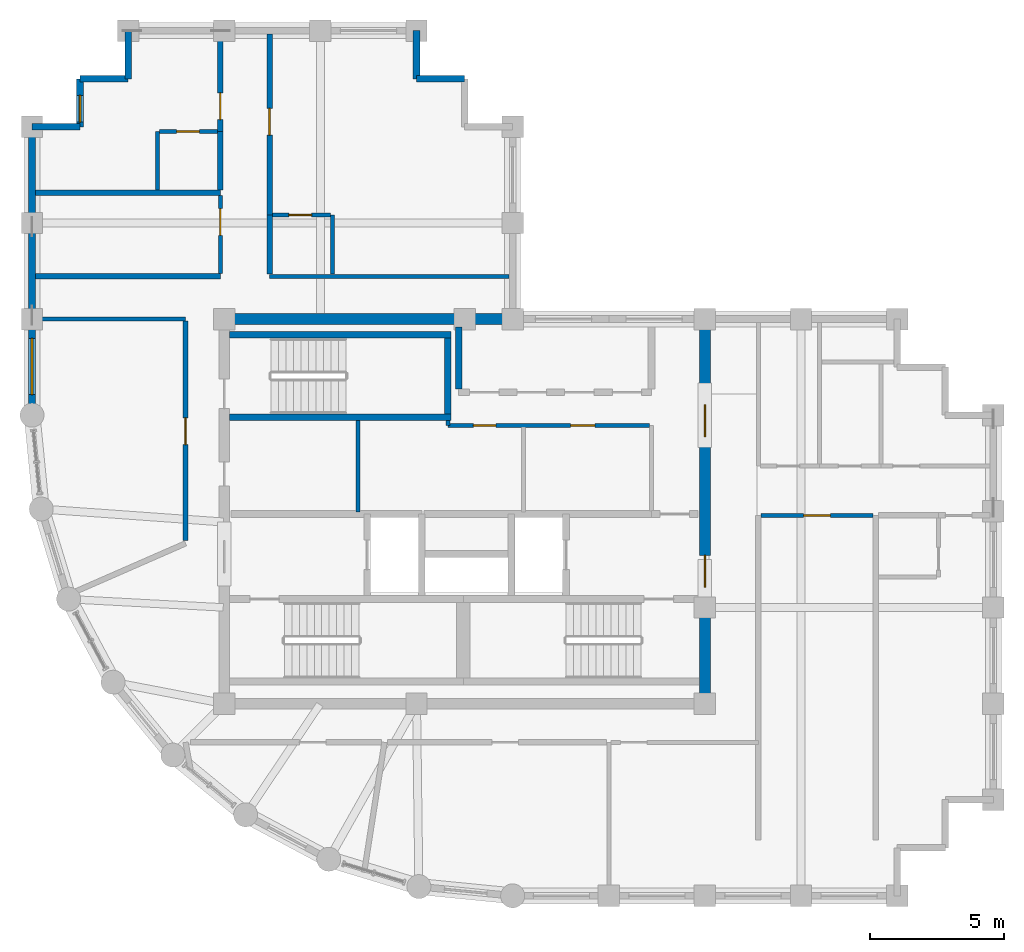
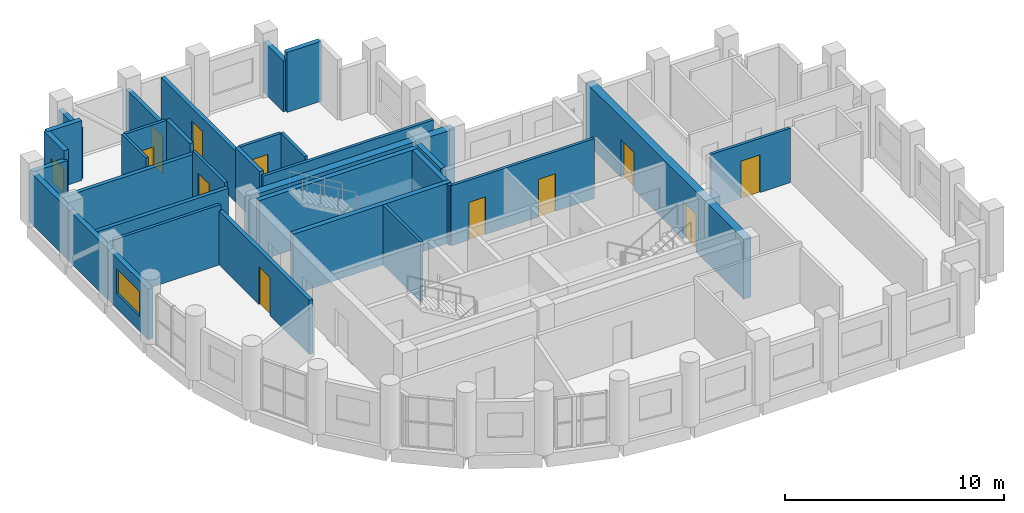
# One storey, part 8 of 11: 33 walls, 11 doors, 2 windows, 13 openings.
"""IFC4 building model written with IfcOpenShell, lengths in metres."""

from ifc_helpers import new_model, si_unit, direction, frame, frame_2d, origin, place, context, subcontext, project, spatial, rectangle, extrude, material, layer, layer_set, type_object, element, fill, save


model = new_model("IFC4")

# Units and contexts
model_context = context("Model", 3, precision=1e-05, world=origin(), true_north=direction((0.0, 1.0)))
body_context = subcontext(model_context, "Body", "Model", "MODEL_VIEW")
ifc_project = project(units=[si_unit("LENGTHUNIT", "METRE"), si_unit("AREAUNIT", "SQUARE_METRE"), si_unit("VOLUMEUNIT", "CUBIC_METRE"), si_unit("PLANEANGLEUNIT", "RADIAN"), si_unit("MASSUNIT", "GRAM", prefix="KILO")], contexts=[model_context])

# Site, building, storey
site_placement = place(None, origin())
site = spatial("IfcSite", under=ifc_project, at=site_placement, CompositionType="ELEMENT")
building_placement = place(site_placement, origin())
building = spatial("IfcBuilding", under=site, at=building_placement, Name="Solnavia Interchange Tower", CompositionType="ELEMENT")
storey_placement = place(building_placement, frame((0.0, 0.0, 239.0)))
storey = spatial("IfcBuildingStorey", under=building, at=storey_placement, Name="L60", CompositionType="ELEMENT", Elevation=239.0)

# Wall, opening, door
ifc_material_1 = material(Name="Gypsum Acoustic Twin-Stud & Mineral Wool", Category="gypsum")
ifc_layer_1 = layer(ifc_material_1, 0.199951171875)
ifc_layer_set_1 = layer_set([ifc_layer_1], Name="Gypsum Acoustic Twin-Stud & Mineral Wool")
wall_type_1 = type_object("IfcWallType", Name="Wall-ApartmentParty-200", PredefinedType="PARTITIONING", material=ifc_layer_set_1)
wall_1_placement = place(storey_placement, frame((12.949951171875, 16.904052734375, 0.0), z_axis=(0.0, 0.0, 1.0), x_axis=(0.0, 1.0, 0.0)))
wall_1 = element("IfcWall", 1, at=wall_1_placement, inside=storey, type_object=wall_type_1, Name="PTW-L60-12 Interior partition wall", PredefinedType="PARTITIONING", context=body_context, shape_type="SweptSolid", body=[
    extrude(rectangle(XDim=8.217041015625, YDim=0.199951171875, at=frame_2d((4.1083984375, 0.0))), origin(), (0.0, 0.0, 1.0), 3.02001953125),
])
opening_1_placement = place(wall_1_placement, frame((3.595947265625, 0.0, 0.0)))
opening_1 = element("IfcOpeningElement", 2, at=opening_1_placement, cuts=wall_1, Name="Opening DR-07", PredefinedType="OPENING", context=body_context, shape_type="SweptSolid", body=[
    extrude(rectangle(XDim=1.0, YDim=2.10009765625, at=frame_2d((0.5, 1.050048828125))), frame((0.0, 0.10986328125, 0.0), z_axis=(0.0, -1.0, 0.0), x_axis=(1.0, 0.0, 0.0)), (0.0, 0.0, 1.0), 0.219970703125),
])
ifc_material_2 = material(Name="Timber & Acoustic Glazed Office Door", Category="wood")
door_type_1 = type_object("IfcDoorType", Name="Door-Office-1000x2100", OperationType="SINGLE_SWING_RIGHT", PredefinedType="DOOR", material=ifc_material_2)
door_1_placement = place(opening_1_placement, origin())
door_1 = element("IfcDoor", 3, at=door_1_placement, inside=storey, type_object=door_type_1, Name="DR-L60-03 Interior room door", OperationType="SINGLE_SWING_LEFT", OverallHeight=2.10009765625, OverallWidth=1.0, PredefinedType="DOOR", context=body_context, shape_type="SweptSolid", body=[
    extrude(rectangle(XDim=1.0, YDim=2.10009765625, at=frame_2d((0.5, 1.050048828125))), frame((0.0, 0.02490234375, 0.0), z_axis=(0.0, -1.0, 0.0), x_axis=(1.0, 0.0, 0.0)), (0.0, 0.0, 1.0), 0.050048828125),
])
fill(opening_1, door_1)

# Walls
for number, where, z_axis, x_axis, name in (
    (4, (7.3291015625, 26.800048828125, 0.0), (0.0, 0.0, 1.0), (1.0, 0.0, 0.0), "PTW-L60-25 Interior partition wall"),
    (5, (7.3291015625, 29.929931640625, 0.0), (0.0, 0.0, 1.0), (1.0, 0.0, 0.0), "PTW-L60-26 Interior partition wall"),
):
    element("IfcWall", number, at=place(storey_placement, frame(where, z_axis=z_axis, x_axis=x_axis)), inside=storey, type_object=wall_type_1, Name=name, PredefinedType="PARTITIONING", context=body_context, shape_type="SweptSolid", body=[
        extrude(rectangle(XDim=6.9208984375, YDim=0.199951171875, at=frame_2d((3.46044921875, 0.0))), origin(), (0.0, 0.0, 1.0), 2.830078125),
    ])
wall_2_placement = place(storey_placement, frame((14.25, 30.033935546875, 0.0), z_axis=(0.0, 0.0, 1.0), x_axis=(0.0, 1.0, 0.0)))
element("IfcWall", 6, at=wall_2_placement, inside=storey, type_object=wall_type_1, Name="PTW-L60-28 Interior partition wall", PredefinedType="PARTITIONING", context=body_context, shape_type="SweptSolid", body=[
    extrude(rectangle(XDim=2.196044921875, YDim=0.199951171875, at=frame_2d((1.09814453125, 0.0))), origin(), (0.0, 0.0, 1.0), 3.3349609375),
])

# Wall, opening, door
wall_3_placement = place(storey_placement, frame((14.25, 32.22998046875, 0.0), z_axis=(0.0, 0.0, 1.0), x_axis=(0.0, 1.0, 0.0)))
wall_3 = element("IfcWall", 7, at=wall_3_placement, inside=storey, type_object=wall_type_1, Name="PTW-L60-29 Interior partition wall", PredefinedType="PARTITIONING", context=body_context, shape_type="SweptSolid", body=[
    extrude(rectangle(XDim=3.64111328125, YDim=0.199951171875, at=frame_2d((1.820556640625, 0.0))), origin(), (0.0, 0.0, 1.0), 2.830078125),
])
opening_2_placement = place(wall_3_placement, frame((0.43896484375, 0.0, 0.0)))
opening_2 = element("IfcOpeningElement", 8, at=opening_2_placement, cuts=wall_3, Name="Opening DR-06", PredefinedType="OPENING", context=body_context, shape_type="SweptSolid", body=[
    extrude(rectangle(XDim=1.0, YDim=2.10009765625, at=frame_2d((0.5, 1.050048828125))), frame((0.0, 0.10986328125, 0.0), z_axis=(0.0, -1.0, 0.0), x_axis=(1.0, 0.0, 0.0)), (0.0, 0.0, 1.0), 0.219970703125),
])
ifc_material_3 = material(Name="Engineered Timber Acoustic Fire Door", Category="wood")
door_type_2 = type_object("IfcDoorType", Name="Door-FlatEntry-1000x2100", OperationType="SINGLE_SWING_LEFT", PredefinedType="DOOR", material=ifc_material_3)
door_2_placement = place(opening_2_placement, origin())
door_2 = element("IfcDoor", 9, at=door_2_placement, inside=storey, type_object=door_type_2, Name="DR-L60-13 Interior room door", OperationType="SINGLE_SWING_RIGHT", OverallHeight=2.10009765625, OverallWidth=1.0, PredefinedType="DOOR", context=body_context, shape_type="SweptSolid", body=[
    extrude(rectangle(XDim=1.0, YDim=2.10009765625, at=frame_2d((0.5, 1.050048828125))), frame((0.0, 0.02490234375, 0.0), z_axis=(0.0, -1.0, 0.0), x_axis=(1.0, 0.0, 0.0)), (0.0, 0.0, 1.0), 0.050048828125),
])
fill(opening_2, door_2)

# Wall
wall_4_placement = place(storey_placement, frame((16.10009765625, 26.87890625, 0.0), z_axis=(0.0, 0.0, 1.0), x_axis=(0.0, 1.0, 0.0)))
element("IfcWall", 10, at=wall_4_placement, inside=storey, type_object=wall_type_1, Name="PTW-L60-33 Interior partition wall", PredefinedType="PARTITIONING", context=body_context, shape_type="SweptSolid", body=[
    extrude(rectangle(XDim=2.22119140625, YDim=0.199951171875, at=frame_2d((1.110595703125, 0.0))), origin(), (0.0, 0.0, 1.0), 3.030029296875),
])

# Wall, opening, door
wall_5_placement = place(storey_placement, frame((16.10009765625, 29.10009765625, 0.0), z_axis=(0.0, 0.0, 1.0), x_axis=(0.0, 1.0, 0.0)))
wall_5 = element("IfcWall", 11, at=wall_5_placement, inside=storey, type_object=wall_type_1, Name="PTW-L60-34 Interior partition wall", PredefinedType="PARTITIONING", context=body_context, shape_type="SweptSolid", body=[
    extrude(rectangle(XDim=6.77099609375, YDim=0.199951171875, at=frame_2d((3.385498046875, 0.0))), origin(), (0.0, 0.0, 1.0), 2.830078125),
])
opening_3_placement = place(wall_5_placement, frame((2.989990234375, 0.0, 0.0)))
opening_3 = element("IfcOpeningElement", 12, at=opening_3_placement, cuts=wall_5, Name="Opening DR-06", PredefinedType="OPENING", context=body_context, shape_type="SweptSolid", body=[
    extrude(rectangle(XDim=1.0, YDim=2.10009765625, at=frame_2d((0.5, 1.050048828125))), frame((0.0, 0.10986328125, 0.0), z_axis=(0.0, -1.0, 0.0), x_axis=(1.0, 0.0, 0.0)), (0.0, 0.0, 1.0), 0.219970703125),
])
door_3_placement = place(opening_3_placement, origin())
door_3 = element("IfcDoor", 13, at=door_3_placement, inside=storey, type_object=door_type_2, Name="DR-L60-15 Interior room door", OperationType="SINGLE_SWING_LEFT", OverallHeight=2.10009765625, OverallWidth=1.0, PredefinedType="DOOR", context=body_context, shape_type="SweptSolid", body=[
    extrude(rectangle(XDim=1.0, YDim=2.10009765625, at=frame_2d((0.5, 1.050048828125))), frame((0.0, 0.02490234375, 0.0), z_axis=(0.0, -1.0, 0.0), x_axis=(1.0, 0.0, 0.0)), (0.0, 0.0, 1.0), 0.050048828125),
])
fill(opening_3, door_3)

# Walls
ifc_material_4 = material(Name="Concrete C40/50", Category="concrete")
ifc_layer_2 = layer(ifc_material_4, 0.25)
ifc_layer_set_2 = layer_set([ifc_layer_2], Name="Concrete C40/50")
wall_type_2 = type_object("IfcWallType", Name="Wall-ExtSpandrel-250", PredefinedType="STANDARD", material=ifc_layer_set_2)
wall_6_placement = place(storey_placement, frame((21.60009765625, 34.199951171875, 0.0), z_axis=(0.0, 0.0, 1.0), x_axis=(1.0, 0.0, 0.0)))
element("IfcWall", 14, at=wall_6_placement, inside=storey, type_object=wall_type_2, Name="EXW-L60-25 Exterior precast spandrel wall", PredefinedType="STANDARD", context=body_context, shape_type="SweptSolid", body=[
    extrude(rectangle(XDim=1.7998046875, YDim=0.25, at=frame_2d((0.89990234375, 0.0))), origin(), (0.0, 0.0, 1.0), 3.3349609375),
])
for number, where, z_axis, x_axis, name in (
    (15, (21.60009765625, 34.199951171875, 0.0), (0.0, 0.0, 1.0), (0.0, 1.0, 0.0), "EXW-L60-26 Exterior precast spandrel wall"),
    (16, (10.800048828125, 34.199951171875, 0.0), (0.0, 0.0, 1.0), (0.0, 1.0, 0.0), "EXW-L60-30 Exterior precast spandrel wall"),
):
    element("IfcWall", number, at=place(storey_placement, frame(where, z_axis=z_axis, x_axis=x_axis)), inside=storey, type_object=wall_type_2, Name=name, PredefinedType="STANDARD", context=body_context, shape_type="SweptSolid", body=[
        extrude(rectangle(XDim=1.800048828125, YDim=0.25, at=frame_2d((0.89990234375, 0.0))), origin(), (0.0, 0.0, 1.0), 2.830078125),
    ])
wall_7_placement = place(storey_placement, frame((9.0, 34.199951171875, 0.0), z_axis=(0.0, 0.0, 1.0), x_axis=(1.0, 0.0, 0.0)))
element("IfcWall", 17, at=wall_7_placement, inside=storey, type_object=wall_type_2, Name="EXW-L60-31 Exterior precast spandrel wall", PredefinedType="STANDARD", context=body_context, shape_type="SweptSolid", body=[
    extrude(rectangle(XDim=1.800048828125, YDim=0.25, at=frame_2d((0.89990234375, 0.0))), origin(), (0.0, 0.0, 1.0), 3.3349609375),
])

# Wall, opening, window
wall_8_placement = place(storey_placement, frame((9.0, 32.39990234375, 0.0), z_axis=(0.0, 0.0, 1.0), x_axis=(0.0, 1.0, 0.0)))
wall_8 = element("IfcWall", 18, at=wall_8_placement, inside=storey, type_object=wall_type_2, Name="EXW-L60-32 Exterior precast spandrel wall", PredefinedType="STANDARD", context=body_context, shape_type="SweptSolid", body=[
    extrude(rectangle(XDim=1.800048828125, YDim=0.25, at=frame_2d((0.89990234375, 0.0))), origin(), (0.0, 0.0, 1.0), 3.3349609375),
])
opening_4_placement = place(wall_8_placement, frame((0.179931640625, 0.0, 0.85009765625)))
opening_4 = element("IfcOpeningElement", 19, at=opening_4_placement, cuts=wall_8, Name="Opening WIN-07", PredefinedType="OPENING", context=body_context, shape_type="SweptSolid", body=[
    extrude(rectangle(XDim=1.0, YDim=1.35009765625, at=frame_2d((0.5, 0.675048828125))), frame((0.0, 0.135009765625, 0.0), z_axis=(0.0, -1.0, 0.0), x_axis=(1.0, 0.0, 0.0)), (0.0, 0.0, 1.0), 0.27001953125),
])
ifc_material_5 = material(Name="Thermal-Break Aluminium & Low-E Glass", Category="aluminium")
window_type_1 = type_object("IfcWindowType", Name="Window-Bedroom-1000x1350", PartitioningType="SINGLE_PANEL", PredefinedType="WINDOW", material=ifc_material_5)
window_1_placement = place(opening_4_placement, origin())
window_1 = element("IfcWindow", 20, at=window_1_placement, inside=storey, type_object=window_type_1, Name="WIN-L60-DW01 Dwelling bedroom window", OverallHeight=1.35009765625, OverallWidth=1.0, PartitioningType="SINGLE_PANEL", PredefinedType="WINDOW", context=body_context, shape_type="SweptSolid", body=[
    extrude(rectangle(XDim=1.0, YDim=1.35009765625, at=frame_2d((0.5, 0.675048828125))), frame((0.0, 0.030029296875, 0.0), z_axis=(0.0, -1.0, 0.0), x_axis=(1.0, 0.0, 0.0)), (0.0, 0.0, 1.0), 0.06005859375),
])
fill(opening_4, window_1)

# Walls
wall_9_placement = place(storey_placement, frame((7.199951171875, 32.39990234375, 0.0), z_axis=(0.0, 0.0, 1.0), x_axis=(1.0, 0.0, 0.0)))
element("IfcWall", 21, at=wall_9_placement, inside=storey, type_object=wall_type_2, Name="EXW-L60-33 Exterior precast spandrel wall", PredefinedType="STANDARD", context=body_context, shape_type="SweptSolid", body=[
    extrude(rectangle(XDim=1.800048828125, YDim=0.25, at=frame_2d((0.89990234375, 0.0))), origin(), (0.0, 0.0, 1.0), 2.830078125),
])
wall_10_placement = place(storey_placement, frame((7.199951171875, 28.800048828125, 0.0), z_axis=(0.0, 0.0, 1.0), x_axis=(0.0, 1.0, 0.0)))
element("IfcWall", 22, at=wall_10_placement, inside=storey, type_object=wall_type_2, Name="EXW-L60-34 Exterior precast spandrel wall", PredefinedType="STANDARD", context=body_context, shape_type="SweptSolid", body=[
    extrude(rectangle(XDim=3.599853515625, YDim=0.25, at=frame_2d((1.7998046875, 0.0))), origin(), (0.0, 0.0, 1.0), 2.830078125),
])
wall_11_placement = place(storey_placement, frame((7.199951171875, 25.199951171875, 0.0), z_axis=(0.0, 0.0, 1.0), x_axis=(0.0, 1.0, 0.0)))
element("IfcWall", 23, at=wall_11_placement, inside=storey, type_object=wall_type_2, Name="EXW-L60-35 Exterior precast spandrel wall", PredefinedType="STANDARD", context=body_context, shape_type="SweptSolid", body=[
    extrude(rectangle(XDim=3.60009765625, YDim=0.25, at=frame_2d((1.800048828125, 0.0))), origin(), (0.0, 0.0, 1.0), 2.830078125),
])

# Wall, opening, window
wall_12_placement = place(storey_placement, frame((7.199951171875, 21.60009765625, 0.0), z_axis=(0.0, 0.0, 1.0), x_axis=(0.0, 1.0, 0.0)))
wall_12 = element("IfcWall", 24, at=wall_12_placement, inside=storey, type_object=wall_type_2, Name="EXW-L60-36 Exterior precast spandrel wall", PredefinedType="STANDARD", context=body_context, shape_type="SweptSolid", body=[
    extrude(rectangle(XDim=3.599853515625, YDim=0.25, at=frame_2d((1.7998046875, 0.0))), origin(), (0.0, 0.0, 1.0), 2.830078125),
])
opening_5_placement = place(wall_12_placement, frame((0.77490234375, 0.0, 0.85009765625)))
opening_5 = element("IfcOpeningElement", 25, at=opening_5_placement, cuts=wall_12, Name="Opening WIN-01", PredefinedType="OPENING", context=body_context, shape_type="SweptSolid", body=[
    extrude(rectangle(XDim=2.10009765625, YDim=1.35009765625, at=frame_2d((1.050048828125, 0.675048828125))), frame((0.0, 0.135009765625, 0.0), z_axis=(0.0, -1.0, 0.0), x_axis=(1.0, 0.0, 0.0)), (0.0, 0.0, 1.0), 0.27001953125),
])
window_type_2 = type_object("IfcWindowType", Name="Window-Ribbon-2100x1350", PartitioningType="SINGLE_PANEL", PredefinedType="WINDOW", material=ifc_material_5)
window_2_placement = place(opening_5_placement, origin())
window_2 = element("IfcWindow", 26, at=window_2_placement, inside=storey, type_object=window_type_2, Name="WIN-L60-36 Facade ribbon window", OverallHeight=1.35009765625, OverallWidth=2.10009765625, PartitioningType="SINGLE_PANEL", PredefinedType="WINDOW", context=body_context, shape_type="SweptSolid", body=[
    extrude(rectangle(XDim=2.10009765625, YDim=1.35009765625, at=frame_2d((1.050048828125, 0.675048828125))), frame((0.0, 0.030029296875, 0.0), z_axis=(0.0, -1.0, 0.0), x_axis=(1.0, 0.0, 0.0)), (0.0, 0.0, 1.0), 0.06005859375),
])
fill(opening_5, window_2)

# Wall, openings, doors
ifc_material_6 = material(Name="Gypsum Plasterboard & Steel Stud", Category="steel")
ifc_layer_3 = layer(ifc_material_6, 0.14990234375)
ifc_layer_set_3 = layer_set([ifc_layer_3], Name="Gypsum Plasterboard & Steel Stud")
wall_type_3 = type_object("IfcWallType", Name="Wall-Partition-150", PredefinedType="PARTITIONING", material=ifc_layer_set_3)
wall_13_placement = place(storey_placement, frame((22.77490234375, 21.219970703125, 0.0), z_axis=(0.0, 0.0, 1.0), x_axis=(1.0, 0.0, 0.0)))
wall_13 = element("IfcWall", 27, at=wall_13_placement, inside=storey, type_object=wall_type_3, Name="CSW-L60-N-ALL Core shaft wall", PredefinedType="PARTITIONING", context=body_context, shape_type="SweptSolid", body=[
    extrude(rectangle(XDim=7.545166015625, YDim=0.14990234375, at=frame_2d((3.7724609375, 0.0))), origin(), (0.0, 0.0, 1.0), 3.3349609375),
])
opening_6_placement = place(wall_13_placement, frame((0.949951171875, 0.0, 0.0)))
opening_6 = element("IfcOpeningElement", 28, at=opening_6_placement, cuts=wall_13, Name="Opening DR-10", PredefinedType="OPENING", context=body_context, shape_type="SweptSolid", body=[
    extrude(rectangle(XDim=0.85009765625, YDim=2.10009765625, at=frame_2d((0.425048828125, 1.050048828125))), frame((0.0, 0.0849609375, 0.0), z_axis=(0.0, -1.0, 0.0), x_axis=(1.0, 0.0, 0.0)), (0.0, 0.0, 1.0), 0.169921875),
])
opening_7_placement = place(wall_13_placement, frame((4.60009765625, 0.0, 0.0)))
opening_7 = element("IfcOpeningElement", 29, at=opening_7_placement, cuts=wall_13, Name="Opening DR-09", PredefinedType="OPENING", context=body_context, shape_type="SweptSolid", body=[
    extrude(rectangle(XDim=0.89990234375, YDim=2.10009765625, at=frame_2d((0.449951171875, 1.050048828125))), frame((0.0, 0.0849609375, 0.0), z_axis=(0.0, -1.0, 0.0), x_axis=(1.0, 0.0, 0.0)), (0.0, 0.0, 1.0), 0.169921875),
])
ifc_material_7 = material(Name="Moisture-Resistant Timber Door", Category="wood")
door_type_3 = type_object("IfcDoorType", Name="Door-Bathroom-850x2100", OperationType="SINGLE_SWING_RIGHT", PredefinedType="DOOR", material=ifc_material_7)
door_4_placement = place(opening_6_placement, origin())
door_4 = element("IfcDoor", 30, at=door_4_placement, inside=storey, type_object=door_type_3, Name="DR-L60-CS2 Core fire door", OperationType="SINGLE_SWING_LEFT", OverallHeight=2.10009765625, OverallWidth=0.85009765625, PredefinedType="DOOR", context=body_context, shape_type="SweptSolid", body=[
    extrude(rectangle(XDim=0.85009765625, YDim=2.10009765625, at=frame_2d((0.425048828125, 1.050048828125))), frame((0.0, 0.02490234375, 0.0), z_axis=(0.0, -1.0, 0.0), x_axis=(1.0, 0.0, 0.0)), (0.0, 0.0, 1.0), 0.050048828125),
])
fill(opening_6, door_4)
ifc_material_8 = material(Name="Engineered Oak Veneer Door", Category="wood")
door_type_4 = type_object("IfcDoorType", Name="Door-Internal-900x2100", OperationType="SINGLE_SWING_LEFT", PredefinedType="DOOR", material=ifc_material_8)
door_5_placement = place(opening_7_placement, origin())
door_5 = element("IfcDoor", 31, at=door_5_placement, inside=storey, type_object=door_type_4, Name="DR-L60-CS3 Core fire door", OperationType="SINGLE_SWING_RIGHT", OverallHeight=2.10009765625, OverallWidth=0.89990234375, PredefinedType="DOOR", context=body_context, shape_type="SweptSolid", body=[
    extrude(rectangle(XDim=0.89990234375, YDim=2.10009765625, at=frame_2d((0.449951171875, 1.050048828125))), frame((0.0, 0.02490234375, 0.0), z_axis=(0.0, -1.0, 0.0), x_axis=(1.0, 0.0, 0.0)), (0.0, 0.0, 1.0), 0.050048828125),
])
fill(opening_7, door_5)

# Walls
wall_14_placement = place(storey_placement, frame((22.77490234375, 21.219970703125, 0.0), z_axis=(0.0, 0.0, 1.0), x_axis=(0.0, 1.0, 0.0)))
element("IfcWall", 32, at=wall_14_placement, inside=storey, type_object=wall_type_3, Name="CSW-L60-ST-TIE Core shaft wall", PredefinedType="PARTITIONING", context=body_context, shape_type="SweptSolid", body=[
    extrude(rectangle(XDim=0.175048828125, YDim=0.14990234375, at=frame_2d((0.08740234375, 0.0))), origin(), (0.0, 0.0, 1.0), 3.3349609375),
])
wall_15_placement = place(storey_placement, frame((19.39990234375, 17.97998046875, 0.0), z_axis=(0.0, 0.0, 1.0), x_axis=(0.0, 1.0, 0.0)))
element("IfcWall", 33, at=wall_15_placement, inside=storey, type_object=wall_type_3, Name="CSW-L60-M1 Core shaft wall", PredefinedType="PARTITIONING", context=body_context, shape_type="SweptSolid", body=[
    extrude(rectangle(XDim=3.419921875, YDim=0.14990234375, at=frame_2d((1.7099609375, 0.0))), origin(), (0.0, 0.0, 1.0), 3.3349609375),
])
wall_16_placement = place(storey_placement, frame((7.3291015625, 25.199951171875, 0.0), z_axis=(0.0, 0.0, 1.0), x_axis=(1.0, 0.0, 0.0)))
element("IfcWall", 34, at=wall_16_placement, inside=storey, type_object=wall_type_3, Name="PTW-L60-07 Interior partition wall", PredefinedType="PARTITIONING", context=body_context, shape_type="SweptSolid", body=[
    extrude(rectangle(XDim=5.620849609375, YDim=0.14990234375, at=frame_2d((2.810546875, 0.0))), origin(), (0.0, 0.0, 1.0), 3.3349609375),
])

# Wall, opening, door
wall_17_placement = place(storey_placement, frame((34.50390625, 17.85009765625, 0.0), z_axis=(0.0, 0.0, 1.0), x_axis=(1.0, 0.0, 0.0)))
wall_17 = element("IfcWall", 35, at=wall_17_placement, inside=storey, type_object=wall_type_3, Name="PTW-L60-19 Interior partition wall", PredefinedType="PARTITIONING", context=body_context, shape_type="SweptSolid", body=[
    extrude(rectangle(XDim=4.192138671875, YDim=0.14990234375, at=frame_2d((2.09619140625, 0.0))), origin(), (0.0, 0.0, 1.0), 3.02001953125),
])
opening_8_placement = place(wall_17_placement, frame((1.595947265625, 0.0, 0.0)))
opening_8 = element("IfcOpeningElement", 36, at=opening_8_placement, cuts=wall_17, Name="Opening DR-07", PredefinedType="OPENING", context=body_context, shape_type="SweptSolid", body=[
    extrude(rectangle(XDim=1.0, YDim=2.10009765625, at=frame_2d((0.5, 1.050048828125))), frame((0.0, 0.0849609375, 0.0), z_axis=(0.0, -1.0, 0.0), x_axis=(1.0, 0.0, 0.0)), (0.0, 0.0, 1.0), 0.169921875),
])
door_6_placement = place(opening_8_placement, origin())
door_6 = element("IfcDoor", 37, at=door_6_placement, inside=storey, type_object=door_type_1, Name="DR-L60-08 Interior room door", OperationType="SINGLE_SWING_LEFT", OverallHeight=2.10009765625, OverallWidth=1.0, PredefinedType="DOOR", context=body_context, shape_type="SweptSolid", body=[
    extrude(rectangle(XDim=1.0, YDim=2.10009765625, at=frame_2d((0.5, 1.050048828125))), frame((0.0, 0.02490234375, 0.0), z_axis=(0.0, -1.0, 0.0), x_axis=(1.0, 0.0, 0.0)), (0.0, 0.0, 1.0), 0.050048828125),
])
fill(opening_8, door_6)

wall_18_placement = place(storey_placement, frame((14.25, 26.904052734375, 0.0), z_axis=(0.0, 0.0, 1.0), x_axis=(0.0, 1.0, 0.0)))
wall_18 = element("IfcWall", 38, at=wall_18_placement, inside=storey, type_object=wall_type_3, Name="PTW-L60-27 Interior partition wall", PredefinedType="PARTITIONING", context=body_context, shape_type="SweptSolid", body=[
    extrude(rectangle(XDim=2.921875, YDim=0.14990234375, at=frame_2d((1.4609375, 0.0))), origin(), (0.0, 0.0, 1.0), 3.030029296875),
])
opening_9_placement = place(wall_18_placement, frame((1.430908203125, 0.0, 0.0)))
opening_9 = element("IfcOpeningElement", 39, at=opening_9_placement, cuts=wall_18, Name="Opening DR-07", PredefinedType="OPENING", context=body_context, shape_type="SweptSolid", body=[
    extrude(rectangle(XDim=1.0, YDim=2.10009765625, at=frame_2d((0.5, 1.050048828125))), frame((0.0, 0.0849609375, 0.0), z_axis=(0.0, -1.0, 0.0), x_axis=(1.0, 0.0, 0.0)), (0.0, 0.0, 1.0), 0.169921875),
])
door_7_placement = place(opening_9_placement, origin())
door_7 = element("IfcDoor", 40, at=door_7_placement, inside=storey, type_object=door_type_1, Name="DR-L60-12 Interior room door", OperationType="SINGLE_SWING_RIGHT", OverallHeight=2.10009765625, OverallWidth=1.0, PredefinedType="DOOR", context=body_context, shape_type="SweptSolid", body=[
    extrude(rectangle(XDim=1.0, YDim=2.10009765625, at=frame_2d((0.5, 1.050048828125))), frame((0.0, 0.02490234375, 0.0), z_axis=(0.0, -1.0, 0.0), x_axis=(1.0, 0.0, 0.0)), (0.0, 0.0, 1.0), 0.050048828125),
])
fill(opening_9, door_7)

# Walls
wall_19_placement = place(storey_placement, frame((16.10009765625, 26.800048828125, 0.0), z_axis=(0.0, 0.0, 1.0), x_axis=(1.0, 0.0, 0.0)))
element("IfcWall", 41, at=wall_19_placement, inside=storey, type_object=wall_type_3, Name="PTW-L60-32 Interior partition wall", PredefinedType="PARTITIONING", context=body_context, shape_type="SweptSolid", body=[
    extrude(rectangle(XDim=8.970947265625, YDim=0.14990234375, at=frame_2d((4.4853515625, 0.0))), origin(), (0.0, 0.0, 1.0), 2.830078125),
])
ifc_layer_4 = layer(ifc_material_4, 0.25)
ifc_layer_set_4 = layer_set([ifc_layer_4], Name="Concrete C40/50")
wall_type_4 = type_object("IfcWallType", Name="Wall-ShaftCore-250", PredefinedType="SHEAR", material=ifc_layer_set_4)
for number, where, z_axis, x_axis, name in (
    (42, (14.60009765625, 21.52490234375, 0.0), (0.0, 0.0, 1.0), (1.0, 0.0, 0.0), "SHW-L60-ST3S Core shear wall"),
    (43, (14.60009765625, 24.614990234375, 0.0), (0.0, 0.0, 1.0), (1.0, 0.0, 0.0), "SHW-L60-ST3N Core shear wall"),
):
    element("IfcWall", number, at=place(storey_placement, frame(where, z_axis=z_axis, x_axis=x_axis)), inside=storey, type_object=wall_type_4, Name=name, PredefinedType="SHEAR", context=body_context, shape_type="SweptSolid", body=[
        extrude(rectangle(XDim=8.2998046875, YDim=0.25, at=frame_2d((4.14990234375, 0.0))), origin(), (0.0, 0.0, 1.0), 3.35009765625),
    ])
wall_20_placement = place(storey_placement, frame((22.77490234375, 21.64990234375, 0.0), z_axis=(0.0, 0.0, 1.0), x_axis=(0.0, 1.0, 0.0)))
element("IfcWall", 44, at=wall_20_placement, inside=storey, type_object=wall_type_4, Name="SHW-L60-ST3E Core shear wall", PredefinedType="SHEAR", context=body_context, shape_type="SweptSolid", body=[
    extrude(rectangle(XDim=2.840087890625, YDim=0.25, at=frame_2d((1.419921875, 0.0))), origin(), (0.0, 0.0, 1.0), 3.35009765625),
])
ifc_layer_5 = layer(ifc_material_4, 0.25)
ifc_layer_set_5 = layer_set([ifc_layer_5], Name="Concrete C40/50")
wall_type_5 = type_object("IfcWallType", Name="Wall-ShaftPart-250", PredefinedType="PARTITIONING", material=ifc_layer_set_5)
wall_21_placement = place(storey_placement, frame((23.179931640625, 22.5849609375, 0.0), z_axis=(0.0, 0.0, 1.0), x_axis=(0.0, 1.0, 0.0)))
element("IfcWall", 45, at=wall_21_placement, inside=storey, type_object=wall_type_5, Name="SHW-L60-B3W Core shaft wall", PredefinedType="PARTITIONING", context=body_context, shape_type="SweptSolid", body=[
    extrude(rectangle(XDim=2.31494140625, YDim=0.25, at=frame_2d((1.157470703125, 0.0))), origin(), (0.0, 0.0, 1.0), 3.3349609375),
])
ifc_material_9 = material(Name="Concrete C50/60", Category="concrete")
ifc_layer_6 = layer(ifc_material_9, 0.39990234375)
ifc_layer_set_6 = layer_set([ifc_layer_6], Name="Concrete C50/60")
wall_type_6 = type_object("IfcWallType", Name="Wall-ShearCore-400", PredefinedType="SHEAR", material=ifc_layer_set_6)
wall_22_placement = place(storey_placement, frame((14.39990234375, 25.199951171875, 0.0), z_axis=(0.0, 0.0, 1.0), x_axis=(1.0, 0.0, 0.0)))
element("IfcWall", 46, at=wall_22_placement, inside=storey, type_object=wall_type_6, Name="CRW-L60-N Core shear wall", PredefinedType="SHEAR", context=body_context, shape_type="SweptSolid", body=[
    extrude(rectangle(XDim=10.800048828125, YDim=0.39990234375, at=frame_2d((5.39990234375, 0.0))), origin(), (0.0, 0.0, 1.0), 3.35009765625),
])

# Wall, openings, doors
wall_23_placement = place(storey_placement, frame((32.39990234375, 10.800048828125, 0.0), z_axis=(0.0, 0.0, 1.0), x_axis=(0.0, 1.0, 0.0)))
wall_23 = element("IfcWall", 47, at=wall_23_placement, inside=storey, type_object=wall_type_6, Name="CRW-L60-E Core shear wall", PredefinedType="SHEAR", context=body_context, shape_type="SweptSolid", body=[
    extrude(rectangle(XDim=14.39990234375, YDim=0.39990234375, at=frame_2d((7.199951171875, 0.0))), origin(), (0.0, 0.0, 1.0), 3.35009765625),
])
opening_10_placement = place(wall_23_placement, frame((4.35009765625, 0.0, 0.0)))
opening_10 = element("IfcOpeningElement", 48, at=opening_10_placement, cuts=wall_23, Name="Opening DR-02", PredefinedType="OPENING", context=body_context, shape_type="SweptSolid", body=[
    extrude(rectangle(XDim=1.199951171875, YDim=2.10009765625, at=frame_2d((0.60009765625, 1.050048828125))), frame((0.0, 0.2099609375, 0.0), z_axis=(0.0, -1.0, 0.0), x_axis=(1.0, 0.0, 0.0)), (0.0, 0.0, 1.0), 0.419921875),
])
opening_11_placement = place(wall_23_placement, frame((10.0, 0.0, 0.0)))
opening_11 = element("IfcOpeningElement", 49, at=opening_11_placement, cuts=wall_23, Name="Opening DR-02", PredefinedType="OPENING", context=body_context, shape_type="SweptSolid", body=[
    extrude(rectangle(XDim=1.199951171875, YDim=2.10009765625, at=frame_2d((0.60009765625, 1.050048828125))), frame((0.0, 0.2099609375, 0.0), z_axis=(0.0, -1.0, 0.0), x_axis=(1.0, 0.0, 0.0)), (0.0, 0.0, 1.0), 0.419921875),
])
ifc_material_10 = material(Name="Steel Fire-Rated Vision-Panel Door", Category="steel")
door_type_5 = type_object("IfcDoorType", Name="Door-LobbyFire-1200x2100", OperationType="SINGLE_SWING_RIGHT", PredefinedType="DOOR", material=ifc_material_10)
door_8_placement = place(opening_10_placement, origin())
door_8 = element("IfcDoor", 50, at=door_8_placement, inside=storey, type_object=door_type_5, Name="DR-L60-FFL2E Core fire door", OperationType="SINGLE_SWING_LEFT", OverallHeight=2.10009765625, OverallWidth=1.199951171875, PredefinedType="DOOR", context=body_context, shape_type="SweptSolid", body=[
    extrude(rectangle(XDim=1.199951171875, YDim=2.10009765625, at=frame_2d((0.60009765625, 1.050048828125))), frame((0.0, 0.02490234375, 0.0), z_axis=(0.0, -1.0, 0.0), x_axis=(1.0, 0.0, 0.0)), (0.0, 0.0, 1.0), 0.050048828125),
])
fill(opening_10, door_8)
door_9_placement = place(opening_11_placement, origin())
door_9 = element("IfcDoor", 51, at=door_9_placement, inside=storey, type_object=door_type_5, Name="DR-L60-LLE Core fire door", OperationType="SINGLE_SWING_RIGHT", OverallHeight=2.10009765625, OverallWidth=1.199951171875, PredefinedType="DOOR", context=body_context, shape_type="SweptSolid", body=[
    extrude(rectangle(XDim=1.199951171875, YDim=2.10009765625, at=frame_2d((0.60009765625, 1.050048828125))), frame((0.0, 0.02490234375, 0.0), z_axis=(0.0, -1.0, 0.0), x_axis=(1.0, 0.0, 0.0)), (0.0, 0.0, 1.0), 0.050048828125),
])
fill(opening_11, door_9)

# Wall
ifc_material_11 = material(Name="Moisture-Resistant Gypsum & Steel Stud", Category="steel")
ifc_layer_7 = layer(ifc_material_11, 0.14990234375)
ifc_layer_set_7 = layer_set([ifc_layer_7], Name="Moisture-Resistant Gypsum & Steel Stud")
wall_type_7 = type_object("IfcWallType", Name="Wall-WetRoom-150", PredefinedType="PARTITIONING", material=ifc_layer_set_7)
wall_24_placement = place(storey_placement, frame((11.89990234375, 30.033935546875, 0.0), z_axis=(0.0, 0.0, 1.0), x_axis=(0.0, 1.0, 0.0)))
element("IfcWall", 52, at=wall_24_placement, inside=storey, type_object=wall_type_7, Name="PTW-L60-30 Interior partition wall", PredefinedType="PARTITIONING", context=body_context, shape_type="SweptSolid", body=[
    extrude(rectangle(XDim=2.196044921875, YDim=0.14990234375, at=frame_2d((1.09814453125, 0.0))), origin(), (0.0, 0.0, 1.0), 3.3349609375),
])

# Wall, opening, door
wall_25_placement = place(storey_placement, frame((11.97900390625, 32.22998046875, 0.0), z_axis=(0.0, 0.0, 1.0), x_axis=(1.0, 0.0, 0.0)))
wall_25 = element("IfcWall", 53, at=wall_25_placement, inside=storey, type_object=wall_type_7, Name="PTW-L60-31 Interior partition wall", PredefinedType="PARTITIONING", context=body_context, shape_type="SweptSolid", body=[
    extrude(rectangle(XDim=2.1669921875, YDim=0.14990234375, at=frame_2d((1.08349609375, 0.0))), origin(), (0.0, 0.0, 1.0), 3.3349609375),
])
opening_12_placement = place(wall_25_placement, frame((0.64111328125, 0.0, 0.0)))
opening_12 = element("IfcOpeningElement", 54, at=opening_12_placement, cuts=wall_25, Name="Opening DR-10", PredefinedType="OPENING", context=body_context, shape_type="SweptSolid", body=[
    extrude(rectangle(XDim=0.85009765625, YDim=2.10009765625, at=frame_2d((0.425048828125, 1.050048828125))), frame((0.0, 0.0849609375, 0.0), z_axis=(0.0, -1.0, 0.0), x_axis=(1.0, 0.0, 0.0)), (0.0, 0.0, 1.0), 0.169921875),
])
door_10_placement = place(opening_12_placement, origin())
door_10 = element("IfcDoor", 55, at=door_10_placement, inside=storey, type_object=door_type_3, Name="DR-L60-14 Interior room door", OperationType="SINGLE_SWING_RIGHT", OverallHeight=2.10009765625, OverallWidth=0.85009765625, PredefinedType="DOOR", context=body_context, shape_type="SweptSolid", body=[
    extrude(rectangle(XDim=0.85009765625, YDim=2.10009765625, at=frame_2d((0.425048828125, 1.050048828125))), frame((0.0, 0.02490234375, 0.0), z_axis=(0.0, -1.0, 0.0), x_axis=(1.0, 0.0, 0.0)), (0.0, 0.0, 1.0), 0.050048828125),
])
fill(opening_12, door_10)

# Wall
wall_26_placement = place(storey_placement, frame((18.449951171875, 26.87890625, 0.0), z_axis=(0.0, 0.0, 1.0), x_axis=(0.0, 1.0, 0.0)))
element("IfcWall", 56, at=wall_26_placement, inside=storey, type_object=wall_type_7, Name="PTW-L60-35 Interior partition wall", PredefinedType="PARTITIONING", context=body_context, shape_type="SweptSolid", body=[
    extrude(rectangle(XDim=2.22119140625, YDim=0.14990234375, at=frame_2d((1.110595703125, 0.0))), origin(), (0.0, 0.0, 1.0), 3.030029296875),
])

# Wall, opening, door
wall_27_placement = place(storey_placement, frame((16.2041015625, 29.10009765625, 0.0), z_axis=(0.0, 0.0, 1.0), x_axis=(1.0, 0.0, 0.0)))
wall_27 = element("IfcWall", 57, at=wall_27_placement, inside=storey, type_object=wall_type_7, Name="PTW-L60-36 Interior partition wall", PredefinedType="PARTITIONING", context=body_context, shape_type="SweptSolid", body=[
    extrude(rectangle(XDim=2.1669921875, YDim=0.14990234375, at=frame_2d((1.08349609375, 0.0))), origin(), (0.0, 0.0, 1.0), 3.030029296875),
])
opening_13_placement = place(wall_27_placement, frame((0.615966796875, 0.0, 0.0)))
opening_13 = element("IfcOpeningElement", 58, at=opening_13_placement, cuts=wall_27, Name="Opening DR-10", PredefinedType="OPENING", context=body_context, shape_type="SweptSolid", body=[
    extrude(rectangle(XDim=0.85009765625, YDim=2.10009765625, at=frame_2d((0.425048828125, 1.050048828125))), frame((0.0, 0.0849609375, 0.0), z_axis=(0.0, -1.0, 0.0), x_axis=(1.0, 0.0, 0.0)), (0.0, 0.0, 1.0), 0.169921875),
])
door_11_placement = place(opening_13_placement, origin())
door_11 = element("IfcDoor", 59, at=door_11_placement, inside=storey, type_object=door_type_3, Name="DR-L60-16 Interior room door", OperationType="SINGLE_SWING_RIGHT", OverallHeight=2.10009765625, OverallWidth=0.85009765625, PredefinedType="DOOR", context=body_context, shape_type="SweptSolid", body=[
    extrude(rectangle(XDim=0.85009765625, YDim=2.10009765625, at=frame_2d((0.425048828125, 1.050048828125))), frame((0.0, 0.02490234375, 0.0), z_axis=(0.0, -1.0, 0.0), x_axis=(1.0, 0.0, 0.0)), (0.0, 0.0, 1.0), 0.050048828125),
])
fill(opening_13, door_11)

save(model, "model.ifc")
